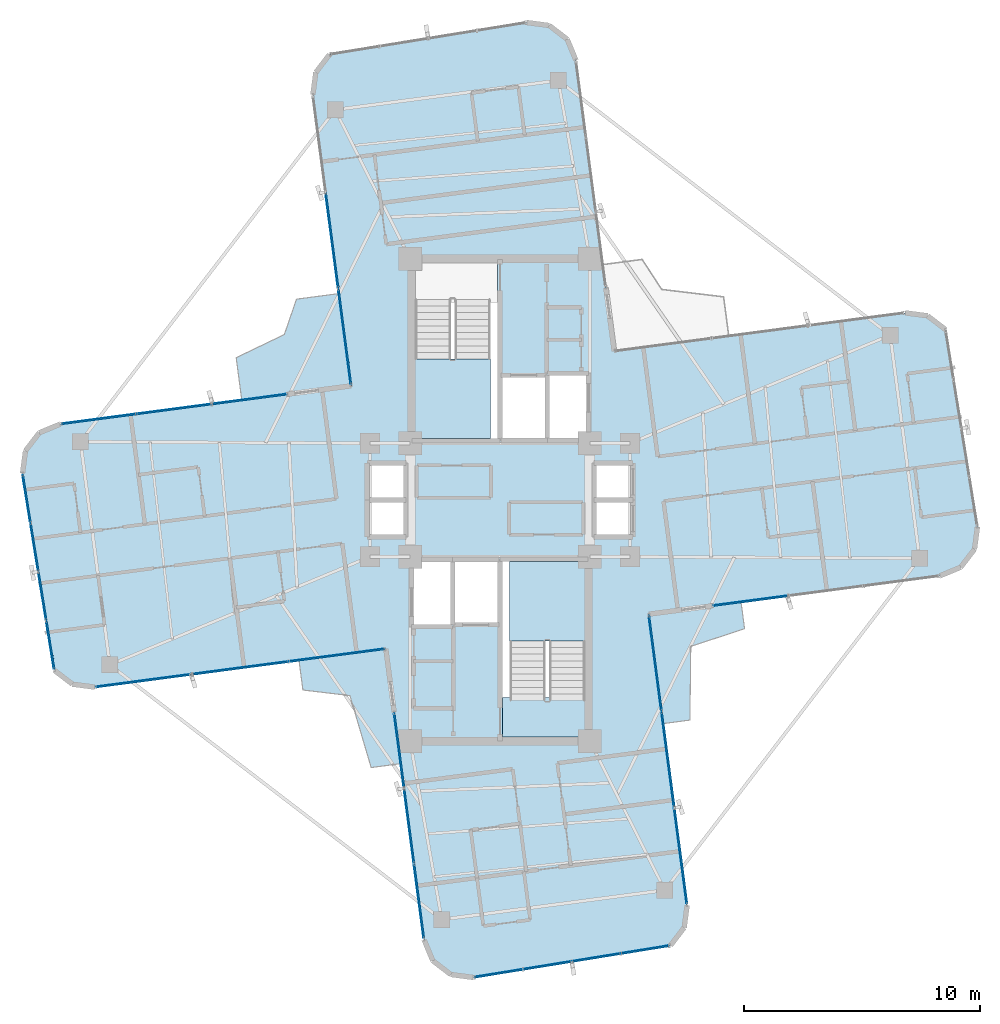
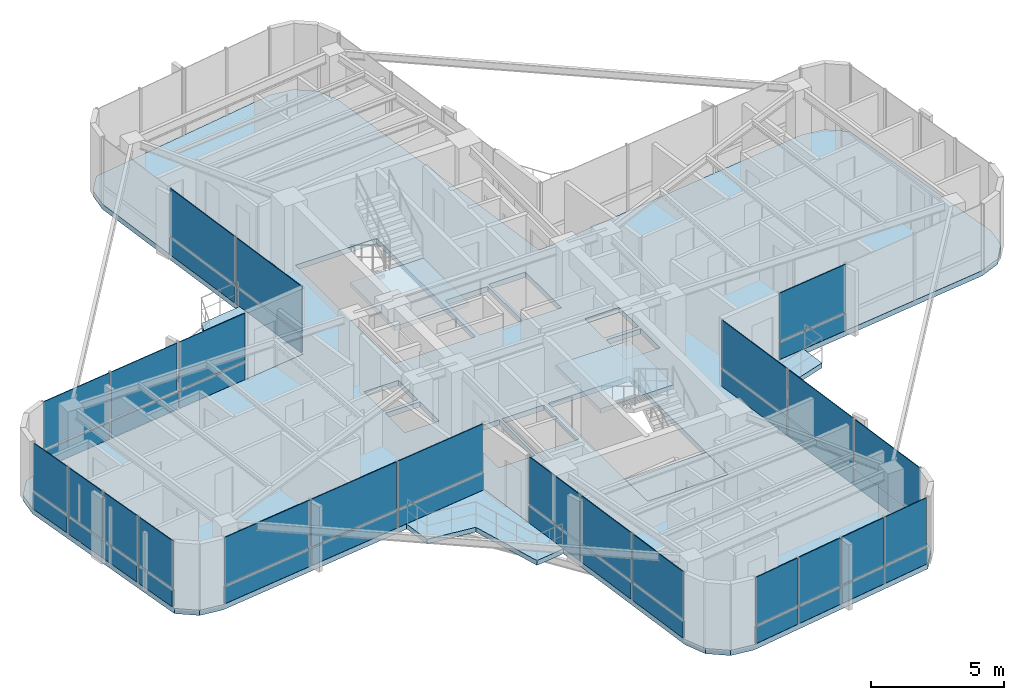
# One storey, part 17 of 23: 46 plates, 7 slabs, 10 elements without a shape of their own.
"""IFC4 building model written with IfcOpenShell, lengths in metres."""

import ifcopenshell
import ifcopenshell.guid

model = None  # the IFC model being written
_history = None  # IfcOwnerHistory: only IFC2X3 demands one
_inside = {}  # id of a spatial element -> (the spatial element, [elements in it])
_under = {}  # id of a project, library or spatial element -> (it, [spatial elements below it])
_declared = {}  # id of a project -> (the project, [libraries it declares])
_typed = {}  # id of a type object -> (the type object, [elements of that type])
_made_of = {}  # id of a material, layer set ... -> (it, [elements and type objects made of it])


def new_model(schema):
    """Start an empty IFC model of exactly this schema.

    Asked for "IFC4X3", IfcOpenShell would pick the latest addendum, in which some entities
    have other attributes; the version numbers below select the first issue.
    IFC2X3 requires an IfcOwnerHistory on every rooted entity: one is made here for all.
    """
    global model, _history
    if schema == "IFC4X3":
        model = ifcopenshell.file(schema_version=(4, 3, 0, 0))
    else:
        model = ifcopenshell.file(schema=schema)
    _inside.clear()
    _under.clear()
    _declared.clear()
    _typed.clear()
    _made_of.clear()
    _history = None
    if model.schema == "IFC2X3":
        org = make("IfcOrganization", Name="unknown")
        user = make(
            "IfcPersonAndOrganization",
            ThePerson=make("IfcPerson", FamilyName="unknown"),
            TheOrganization=org,
        )
        app = make(
            "IfcApplication",
            ApplicationDeveloper=org,
            Version="unknown",
            ApplicationFullName="unknown",
            ApplicationIdentifier="unknown",
        )
        _history = make(
            "IfcOwnerHistory",
            OwningUser=user,
            OwningApplication=app,
            ChangeAction="ADDED",
            CreationDate=0,
        )
    return model


def make(cls, **values):
    """One entity of the class cls with the attributes given. An attribute that is None is left unset."""
    return model.create_entity(
        cls, **{name: value for name, value in values.items() if value is not None}
    )


def rooted(cls, **values):
    """An entity with a GlobalId (a new one), such as an element, a storey or a relation."""
    return make(cls, GlobalId=ifcopenshell.guid.new(), OwnerHistory=_history, **values)


def si_unit(unit_type, name, prefix=None):
    """IfcSIUnit, for example si_unit("LENGTHUNIT", "METRE", prefix="MILLI")."""
    return make("IfcSIUnit", UnitType=unit_type, Prefix=prefix, Name=name)


def assignment(units):
    """IfcUnitAssignment: the units of a project."""
    return None if units is None else make("IfcUnitAssignment", Units=units)


def point(xyz):
    """IfcCartesianPoint."""
    return None if xyz is None else make("IfcCartesianPoint", Coordinates=xyz)


def direction(xyz):
    """IfcDirection."""
    return None if xyz is None else make("IfcDirection", DirectionRatios=xyz)


def frame(location, z_axis=None, x_axis=None):
    """IfcAxis2Placement3D, a coordinate frame: its origin and axes. An axis left out is left unset."""
    return make(
        "IfcAxis2Placement3D",
        Location=point(location),
        Axis=direction(z_axis),
        RefDirection=direction(x_axis),
    )


def frame_2d(location, x_axis=None):
    """IfcAxis2Placement2D, a coordinate frame in the plane: its origin and x axis."""
    return make(
        "IfcAxis2Placement2D", Location=point(location), RefDirection=direction(x_axis)
    )


def origin():
    """The frame at (0, 0, 0) with its axes left unset."""
    return frame((0.0, 0.0, 0.0))


def origin_2d():
    """The frame at (0, 0) in the plane with its x axis left unset."""
    return frame_2d((0.0, 0.0))


def place(relative_to, where):
    """IfcLocalPlacement: puts the frame where relative to a parent placement (None: the world)."""
    return make(
        "IfcLocalPlacement", PlacementRelTo=relative_to, RelativePlacement=where
    )


def context(
    kind, dimensions, precision=None, world=None, true_north=None, identifier=None
):
    """IfcGeometricRepresentationContext, for example the 3D "Model" context."""
    return make(
        "IfcGeometricRepresentationContext",
        ContextIdentifier=identifier,
        ContextType=kind,
        CoordinateSpaceDimension=dimensions,
        Precision=precision,
        WorldCoordinateSystem=world,
        TrueNorth=true_north,
    )


def subcontext(parent, identifier, kind, view, scale=None):
    """IfcGeometricRepresentationSubContext, for example "Body" below "Model"."""
    return make(
        "IfcGeometricRepresentationSubContext",
        ContextIdentifier=identifier,
        ContextType=kind,
        ParentContext=parent,
        TargetScale=scale,
        TargetView=view,
    )


def project(units=None, contexts=None):
    """IfcProject with its units and contexts."""
    return rooted(
        "IfcProject",
        Name="project",
        RepresentationContexts=contexts,
        UnitsInContext=assignment(units),
    )


def spatial(cls, under=None, at=None, **own):
    """A site, building, storey or space (cls), placed at a placement, below another one or the project."""
    s = rooted(cls, ObjectPlacement=at, **own)
    if under is not None:
        _under.setdefault(under.id(), (under, []))[1].append(s)
    return s


def polyline(points):
    """IfcPolyline through the points."""
    return make("IfcPolyline", Points=[point(p) for p in points])


def profile(cls, at=None, kind="AREA", **sizes):
    """A parametric profile (cls). Its sizes go by their IFC names, for example OverallWidth=200.0."""
    return make(cls, ProfileType=kind, Position=at, **sizes)


def rectangle(**sizes):
    """IfcRectangleProfileDef."""
    return profile("IfcRectangleProfileDef", **sizes)


def outline(outer, holes=None, kind="AREA"):
    """IfcArbitraryClosedProfileDef: a profile drawn as a closed curve; with holes, ...WithVoids."""
    if holes is None:
        return make("IfcArbitraryClosedProfileDef", ProfileType=kind, OuterCurve=outer)
    return make(
        "IfcArbitraryProfileDefWithVoids",
        ProfileType=kind,
        OuterCurve=outer,
        InnerCurves=holes,
    )


def extrude(swept, where, along, depth):
    """IfcExtrudedAreaSolid: the profile swept, set in the frame where, extruded along a direction by depth."""
    return make(
        "IfcExtrudedAreaSolid",
        SweptArea=swept,
        Position=where,
        ExtrudedDirection=direction(along),
        Depth=depth,
    )


def shape(context_of_items, identifier, shape_type, items):
    """IfcShapeRepresentation: the items that make up one representation, for example the "Body"."""
    return make(
        "IfcShapeRepresentation",
        ContextOfItems=context_of_items,
        RepresentationIdentifier=identifier,
        RepresentationType=shape_type,
        Items=items,
    )


def source(mapping_origin, context_of_items, identifier, shape_type, items):
    """IfcRepresentationMap: a shape defined once, which mapped items show again and again."""
    return make(
        "IfcRepresentationMap",
        MappingOrigin=mapping_origin,
        MappedRepresentation=shape(context_of_items, identifier, shape_type, items),
    )


def transform(
    local_origin,
    x_axis=None,
    y_axis=None,
    z_axis=None,
    scale=None,
    scale2=None,
    scale3=None,
    uniform=True,
):
    """IfcCartesianTransformationOperator3D, or its non-uniform kind. x_axis, y_axis, z_axis: its Axis1, 2, 3."""
    if uniform:
        return make(
            "IfcCartesianTransformationOperator3D",
            Axis1=direction(x_axis),
            Axis2=direction(y_axis),
            LocalOrigin=point(local_origin),
            Scale=scale,
            Axis3=direction(z_axis),
        )
    return make(
        "IfcCartesianTransformationOperator3DnonUniform",
        Axis1=direction(x_axis),
        Axis2=direction(y_axis),
        LocalOrigin=point(local_origin),
        Scale=scale,
        Axis3=direction(z_axis),
        Scale2=scale2,
        Scale3=scale3,
    )


def mapped(mapping_source, mapping_target):
    """IfcMappedItem: shows the shape of a source again, moved by a transform."""
    return make(
        "IfcMappedItem", MappingSource=mapping_source, MappingTarget=mapping_target
    )


def material(Name=None, Category=None):
    """IfcMaterial."""
    return make("IfcMaterial", Name=Name, Category=Category)


def layer(
    of_material, thickness, ventilated=None, Name=None, Category=None, Priority=None
):
    """IfcMaterialLayer: one layer of a wall or slab, of a material (None: an air gap)."""
    return make(
        "IfcMaterialLayer",
        Material=of_material,
        LayerThickness=thickness,
        IsVentilated=ventilated,
        Name=Name,
        Category=Category,
        Priority=Priority,
    )


def layer_set(layers, Name=None):
    """IfcMaterialLayerSet."""
    return make("IfcMaterialLayerSet", MaterialLayers=layers, LayerSetName=Name)


def made_of(thing, what):
    """Note that an element or type object is made of a material, layer set ...; save() writes the relation."""
    if what is not None:
        _made_of.setdefault(what.id(), (what, []))[1].append(thing)
    return thing


def type_object(cls, material=None, **own):
    """A type object (cls), such as IfcWallType, which elements share."""
    return made_of(rooted(cls, **own), material)


def element(
    cls,
    number,
    at=None,
    inside=None,
    cuts=None,
    type_object=None,
    material=None,
    context=None,
    identifier="Body",
    shape_type=None,
    held_by="IfcProductDefinitionShape",
    body=None,
    shapes=None,
    **own,
):
    """One element of the class cls, such as IfcWall. Its Tag is "e" and its number.

    at: its placement. inside: the storey or other place that contains it. cuts: it is an
    opening in that element (IfcRelVoidsElement). A single representation is given by context,
    identifier, shape_type and body (its items); several are given by shapes. held_by: the class
    of the entity that holds the representations. save() writes the other relations.
    """
    e = rooted(cls, Tag="e%d" % number, ObjectPlacement=at, **own)
    if body is not None:
        shapes = [shape(context, identifier, shape_type, body)]
    if shapes is not None:
        e.Representation = make(held_by, Representations=shapes)
    if inside is not None:
        _inside.setdefault(inside.id(), (inside, []))[1].append(e)
    if cuts is not None:
        rooted(
            "IfcRelVoidsElement", RelatingBuildingElement=cuts, RelatedOpeningElement=e
        )
    if type_object is not None:
        _typed.setdefault(type_object.id(), (type_object, []))[1].append(e)
    return made_of(e, material)


def aggregate(whole, parts):
    """IfcRelAggregates: a whole, such as a stair, and the parts it consists of."""
    return rooted("IfcRelAggregates", RelatingObject=whole, RelatedObjects=parts)


def save(model, path):
    """Write the relations noted so far, then the file.

    IfcRelAggregates (storeys below a building ...), IfcRelContainedInSpatialStructure (elements
    in a storey), IfcRelDefinesByType, IfcRelAssociatesMaterial and IfcRelDeclares: one each for
    every whole, place, type object, material and project.
    """
    for whole, parts in _under.values():
        aggregate(whole, parts)
    for where, things in _inside.values():
        rooted(
            "IfcRelContainedInSpatialStructure",
            RelatedElements=things,
            RelatingStructure=where,
        )
    for kind, things in _typed.values():
        rooted("IfcRelDefinesByType", RelatedObjects=things, RelatingType=kind)
    for what, things in _made_of.values():
        rooted("IfcRelAssociatesMaterial", RelatedObjects=things, RelatingMaterial=what)
    for by, libraries in _declared.values():
        rooted("IfcRelDeclares", RelatingContext=by, RelatedDefinitions=libraries)
    model.write(path)


model = new_model("IFC4")

# Units and contexts
model_context = context("Model", 3, precision=1e-05, world=origin(), true_north=direction((0.0, 1.0)))
body_context = subcontext(model_context, "Body", "Model", "MODEL_VIEW")
ifc_project = project(units=[si_unit("LENGTHUNIT", "METRE"), si_unit("AREAUNIT", "SQUARE_METRE"), si_unit("VOLUMEUNIT", "CUBIC_METRE"), si_unit("PLANEANGLEUNIT", "RADIAN"), si_unit("MASSUNIT", "GRAM", prefix="KILO")], contexts=[model_context])

# Site, building, storey
site_placement = place(None, origin())
site = spatial("IfcSite", under=ifc_project, at=site_placement, CompositionType="ELEMENT")
building_placement = place(site_placement, origin())
building = spatial("IfcBuilding", under=site, at=building_placement, Name="Sahyath Konkavel Grand Hotel", CompositionType="ELEMENT")
storey_placement = place(building_placement, frame((0.0, 0.0, 251.199951171875)))
storey = spatial("IfcBuildingStorey", under=building, at=storey_placement, Name="L70", CompositionType="ELEMENT", Elevation=251.199951171875)

# Slabs
ifc_material_1 = material(Name="Concrete C40/50", Category="concrete")
ifc_layer_1 = layer(ifc_material_1, 0.239990234375)
ifc_layer_set_1 = layer_set([ifc_layer_1], Name="Concrete C40/50")
slab_type_1 = type_object("IfcSlabType", Name="SLB-240", PredefinedType="FLOOR", material=ifc_layer_set_1)
slab_1_placement = place(storey_placement, frame((0.0, 0.0, -0.239990234375)))
element("IfcSlab", 1, at=slab_1_placement, inside=storey, type_object=slab_type_1, Name="L70 Structural Floor Slab", PredefinedType="FLOOR", context=body_context, shape_type="SweptSolid", body=[
    extrude(outline(polyline([(6.2919921875, -4.827880859375), (18.594970703125, -3.208251953125), (19.4794921875, -2.841796875), (20.0625, -2.08203125), (20.1875, -1.1328125), (18.840087890625, 7.20361328125), (18.080322265625, 7.78662109375), (17.130859375, 7.91162109375), (4.827880859375, 6.2919921875), (3.208251953125, 18.594970703125), (2.841796875, 19.4794921875), (2.08203125, 20.0625), (1.1328125, 20.1875), (-7.20361328125, 18.840087890625), (-7.78662109375, 18.080322265625), (-7.91162109375, 17.130859375), (-6.2919921875, 4.827880859375), (-18.594970703125, 3.208251953125), (-19.4794921875, 2.841796875), (-20.0625, 2.08203125), (-20.1875, 1.1328125), (-18.840087890625, -7.20361328125), (-18.080322265625, -7.78662109375), (-17.130859375, -7.91162109375), (-4.827880859375, -6.2919921875), (-3.208251953125, -18.594970703125), (-2.841796875, -19.4794921875), (-2.08203125, -20.0625), (-1.1328125, -20.1875), (7.20361328125, -18.840087890625), (7.78662109375, -18.080322265625), (7.91162109375, -17.130859375), (6.2919921875, -4.827880859375)]), holes=[polyline([(-3.6201171875, 2.580078125), (-0.10009765625, 2.580078125), (-0.10009765625, 10.02001953125), (-3.6201171875, 10.02001953125), (-3.6201171875, 2.580078125)]), polyline([(0.10009765625, -10.02001953125), (3.6201171875, -10.02001953125), (3.6201171875, -2.580078125), (0.10009765625, -2.580078125), (0.10009765625, -10.02001953125)]), polyline([(0.10009765625, 2.60009765625), (1.949951171875, 2.60009765625), (1.949951171875, 5.199951171875), (0.10009765625, 5.199951171875), (0.10009765625, 2.60009765625)]), polyline([(-1.949951171875, -5.199951171875), (-0.10009765625, -5.199951171875), (-0.10009765625, -2.60009765625), (-1.949951171875, -2.60009765625), (-1.949951171875, -5.199951171875)]), polyline([(2.050048828125, 2.60009765625), (3.64990234375, 2.60009765625), (3.64990234375, 5.300048828125), (2.050048828125, 5.300048828125), (2.050048828125, 2.60009765625)]), polyline([(-3.64990234375, -5.300048828125), (-2.050048828125, -5.300048828125), (-2.050048828125, -2.60009765625), (-3.64990234375, -2.60009765625), (-3.64990234375, -5.300048828125)]), polyline([(4.050048828125, 0.080078125), (5.550048828125, 0.080078125), (5.550048828125, 1.5400390625), (4.050048828125, 1.5400390625), (4.050048828125, 0.080078125)]), polyline([(4.050048828125, -1.5400390625), (5.550048828125, -1.5400390625), (5.550048828125, -0.080078125), (4.050048828125, -0.080078125), (4.050048828125, -1.5400390625)]), polyline([(-5.550048828125, 0.080078125), (-4.050048828125, 0.080078125), (-4.050048828125, 1.5400390625), (-5.550048828125, 1.5400390625), (-5.550048828125, 0.080078125)]), polyline([(-5.550048828125, -1.5400390625), (-4.050048828125, -1.5400390625), (-4.050048828125, -0.080078125), (-5.550048828125, -0.080078125), (-5.550048828125, -1.5400390625)])]), origin(), (0.0, 0.0, 1.0), 0.239990234375),
])
ifc_layer_2 = layer(ifc_material_1, 0.219970703125)
ifc_layer_set_2 = layer_set([ifc_layer_2], Name="Concrete C40/50")
slab_type_2 = type_object("IfcSlabType", Name="SLB-BALCONY-220", PredefinedType="FLOOR", material=ifc_layer_set_2)
slab_2_placement = place(storey_placement, frame((0.0, 0.0, -0.219970703125)))
element("IfcSlab", 2, at=slab_2_placement, inside=storey, type_object=slab_type_2, Name="L70 Winter-Garden Balcony NW", PredefinedType="FLOOR", context=body_context, shape_type="SweptSolid", body=[
    extrude(outline(polyline([(-6.2919921875, 4.827880859375), (-6.805419921875, 8.728515625), (-8.603759765625, 8.49169921875), (-9.118408203125, 6.99658203125), (-11.15478515625, 6.01708984375), (-10.918212890625, 4.218994140625), (-6.2919921875, 4.827880859375)])), origin(), (0.0, 0.0, 1.0), 0.219970703125),
])
slab_3_placement = place(storey_placement, frame((0.0, 0.0, -0.219970703125)))
element("IfcSlab", 3, at=slab_3_placement, inside=storey, type_object=slab_type_2, Name="L70 Winter-Garden Balcony SW", PredefinedType="FLOOR", context=body_context, shape_type="SweptSolid", body=[
    extrude(outline(polyline([(-4.827880859375, -6.2919921875), (-8.49951171875, -6.775390625), (-8.333740234375, -8.033935546875), (-6.345703125, -8.27001953125), (-5.447265625, -11.312744140625), (-4.188720703125, -11.147216796875), (-4.827880859375, -6.2919921875)])), origin(), (0.0, 0.0, 1.0), 0.219970703125),
])
slab_4_placement = place(storey_placement, frame((0.0, 0.0, -0.219970703125)))
element("IfcSlab", 4, at=slab_4_placement, inside=storey, type_object=slab_type_2, Name="L70 Winter-Garden Balcony SE", PredefinedType="FLOOR", context=body_context, shape_type="SweptSolid", body=[
    extrude(outline(polyline([(6.2919921875, -4.827880859375), (6.90087890625, -9.4541015625), (8.029541015625, -9.305419921875), (8.06591796875, -6.189208984375), (10.3408203125, -5.443115234375), (10.1923828125, -4.314453125), (6.2919921875, -4.827880859375)])), origin(), (0.0, 0.0, 1.0), 0.219970703125),
])

# Stair, slab
stair_type = type_object("IfcStairType", Name="STR-ST16-335", PredefinedType="HALF_TURN_STAIR", material=ifc_material_1)
stair_1_placement = place(storey_placement, origin())
stair_1 = element("IfcStair", 5, at=stair_1_placement, inside=storey, type_object=stair_type, Name="L70 North Core Smokeproof Exit Stair ST-1", PredefinedType="HALF_TURN_STAIR")
ifc_layer_3 = layer(ifc_material_1, 0.199951171875)
ifc_layer_set_3 = layer_set([ifc_layer_3], Name="Concrete C40/50")
slab_type_3 = type_object("IfcSlabType", Name="SLB-STAIR-LND", PredefinedType="LANDING", material=ifc_layer_set_3)
slab_5_placement = place(storey_placement, frame((0.0, 0.0, 1.47509765625)))
slab_5 = element("IfcSlab", 6, at=slab_5_placement, type_object=slab_type_3, Name="ST-1 landing 1", PredefinedType="LANDING", context=body_context, shape_type="SweptSolid", body=[
    extrude(outline(polyline([(-3.60009765625, 5.9599609375), (-3.60009765625, 2.60009765625), (-0.39990234375, 2.60009765625), (-0.39990234375, 5.9599609375), (-3.60009765625, 5.9599609375)])), origin(), (0.0, 0.0, 1.0), 0.199951171875),
])
aggregate(stair_1, [slab_5])

stair_2_placement = place(storey_placement, origin())
stair_2 = element("IfcStair", 7, at=stair_2_placement, inside=storey, type_object=stair_type, Name="L70 South Core Smokeproof Exit Stair ST-2", PredefinedType="HALF_TURN_STAIR")
slab_6_placement = place(storey_placement, frame((0.0, 0.0, 1.47509765625)))
slab_6 = element("IfcSlab", 8, at=slab_6_placement, type_object=slab_type_3, Name="ST-2 landing 1", PredefinedType="LANDING", context=body_context, shape_type="SweptSolid", body=[
    extrude(outline(polyline([(3.60009765625, -5.9599609375), (3.60009765625, -2.60009765625), (0.39990234375, -2.60009765625), (0.39990234375, -5.9599609375), (3.60009765625, -5.9599609375)])), origin(), (0.0, 0.0, 1.0), 0.199951171875),
])
aggregate(stair_2, [slab_6])

# Slab
slab_7_placement = place(storey_placement, frame((0.0, 0.0, -0.199951171875)))
element("IfcSlab", 9, at=slab_7_placement, inside=storey, type_object=slab_type_3, Name="L70 Stair ST-2 Floor Landing Slab", PredefinedType="LANDING", context=body_context, shape_type="SweptSolid", body=[
    extrude(outline(polyline([(0.10009765625, -10.02001953125), (3.6201171875, -10.02001953125), (3.6201171875, -8.35009765625), (0.10009765625, -8.35009765625), (0.10009765625, -10.02001953125)])), origin(), (0.0, 0.0, 1.0), 0.199951171875),
])

# Curtain wall, plate
ifc_material_2 = material(Name="Anodised Bronze Aluminium & Low-E Glazing", Category="aluminium")
curtain_wall_type = type_object("IfcCurtainWallType", Name="CW-ZONE4", PredefinedType="NOTDEFINED", material=ifc_material_2)
curtain_wall_1_placement = place(storey_placement, origin())
curtain_wall_1 = element("IfcCurtainWall", 10, at=curtain_wall_1_placement, inside=storey, type_object=curtain_wall_type, Name="L70 Unitised Curtain Wall F0", PredefinedType="NOTDEFINED")
ifc_material_3 = material(Name="Warm Buff Sandstone Cladding", Category="masonry")
ifc_layer_4 = layer(ifc_material_3, 0.074951171875)
ifc_layer_set_4 = layer_set([ifc_layer_4], Name="Warm Buff Sandstone Cladding")
plate_type_1 = type_object("IfcPlateType", Name="PNL-SPANDREL-STONE", PredefinedType="SHEET", material=ifc_layer_set_4)
shared_shape_1 = source(origin(), body_context, "Body", "SweptSolid", [
    extrude(rectangle(XDim=3.129638671875, YDim=0.074951171875, at=origin_2d()), origin(), (0.0, 0.0, 1.0), 0.77001953125),
])
plate_1_placement = place(storey_placement, frame((10.599609375, -4.260986328125, 0.0400390625), z_axis=(0.0, 0.0, 1.0), x_axis=(0.991444861374, 0.13052619222, 0.0)))
plate_1 = element("IfcPlate", 11, at=plate_1_placement, type_object=plate_type_1, Name="L70 Sandstone Relief Spandrel Panel F0-0", PredefinedType="SHEET", context=body_context, shape_type="MappedRepresentation", body=[
    mapped(shared_shape_1, transform((0.0, 0.0, 0.0), scale=1.0)),
])

# Curtain wall, plates
curtain_wall_2_placement = place(storey_placement, origin())
curtain_wall_2 = element("IfcCurtainWall", 12, at=curtain_wall_2_placement, inside=storey, type_object=curtain_wall_type, Name="L70 Unitised Curtain Wall F16", PredefinedType="NOTDEFINED")
plate_2_placement = place(storey_placement, frame((-10.599609375, 4.260986328125, 0.0400390625), z_axis=(0.0, 0.0, 1.0), x_axis=(-0.991444861374, -0.13052619222, 0.0)))
plate_2 = element("IfcPlate", 13, at=plate_2_placement, type_object=plate_type_1, Name="L70 Sandstone Relief Spandrel Panel F16-0", PredefinedType="SHEET", context=body_context, shape_type="MappedRepresentation", body=[
    mapped(shared_shape_1, transform((0.0, 0.0, 0.0), scale=1.0)),
])
plate_3_placement = place(storey_placement, frame((-13.781982421875, 3.841796875, 0.0400390625), z_axis=(0.0, 0.0, 1.0), x_axis=(-0.991444861374, -0.13052619222, 0.0)))
plate_3 = element("IfcPlate", 14, at=plate_3_placement, type_object=plate_type_1, Name="L70 Sandstone Relief Spandrel Panel F16-1", PredefinedType="SHEET", context=body_context, shape_type="MappedRepresentation", body=[
    mapped(shared_shape_1, transform((0.0, 0.0, 0.0), scale=1.0)),
])
plate_4_placement = place(storey_placement, frame((-16.964111328125, 3.423095703125, 0.0400390625), z_axis=(0.0, 0.0, 1.0), x_axis=(-0.991444861374, -0.13052619222, 0.0)))
plate_4 = element("IfcPlate", 15, at=plate_4_placement, type_object=plate_type_1, Name="L70 Sandstone Relief Spandrel Panel F16-2", PredefinedType="SHEET", context=body_context, shape_type="MappedRepresentation", body=[
    mapped(shared_shape_1, transform((0.0, 0.0, 0.0), scale=1.0)),
])

curtain_wall_3_placement = place(storey_placement, origin())
curtain_wall_3 = element("IfcCurtainWall", 16, at=curtain_wall_3_placement, inside=storey, type_object=curtain_wall_type, Name="L70 Unitised Curtain Wall F24", PredefinedType="NOTDEFINED")
plate_5_placement = place(storey_placement, frame((-4.260986328125, -10.599609375, 0.0400390625), z_axis=(0.0, 0.0, 1.0), x_axis=(0.13052619222, -0.991444861374, 0.0)))
plate_5 = element("IfcPlate", 17, at=plate_5_placement, type_object=plate_type_1, Name="L70 Sandstone Relief Spandrel Panel F24-0", PredefinedType="SHEET", context=body_context, shape_type="MappedRepresentation", body=[
    mapped(shared_shape_1, transform((0.0, 0.0, 0.0), scale=1.0)),
])
plate_6_placement = place(storey_placement, frame((-3.841796875, -13.781982421875, 0.0400390625), z_axis=(0.0, 0.0, 1.0), x_axis=(0.13052619222, -0.991444861374, 0.0)))
plate_6 = element("IfcPlate", 18, at=plate_6_placement, type_object=plate_type_1, Name="L70 Sandstone Relief Spandrel Panel F24-1", PredefinedType="SHEET", context=body_context, shape_type="MappedRepresentation", body=[
    mapped(shared_shape_1, transform((0.0, 0.0, 0.0), scale=1.0)),
])
plate_7_placement = place(storey_placement, frame((-3.423095703125, -16.964111328125, 0.0400390625), z_axis=(0.0, 0.0, 1.0), x_axis=(0.13052619222, -0.991444861374, 0.0)))
plate_7 = element("IfcPlate", 19, at=plate_7_placement, type_object=plate_type_1, Name="L70 Sandstone Relief Spandrel Panel F24-2", PredefinedType="SHEET", context=body_context, shape_type="MappedRepresentation", body=[
    mapped(shared_shape_1, transform((0.0, 0.0, 0.0), scale=1.0)),
])

# Plate
ifc_material_4 = material(Name="Low-E Solar Control Double Glazing", Category="glass")
ifc_layer_5 = layer(ifc_material_4, 0.035888671875)
ifc_layer_set_5 = layer_set([ifc_layer_5], Name="Low-E Solar Control Double Glazing")
plate_type_2 = type_object("IfcPlateType", Name="PNL-VISION-LOWE", PredefinedType="CURTAIN_PANEL", material=ifc_layer_set_5)
shared_shape_2 = source(origin(), body_context, "Body", "SweptSolid", [
    extrude(rectangle(XDim=3.129638671875, YDim=0.035888671875, at=origin_2d()), origin(), (0.0, 0.0, 1.0), 2.179931640625),
])
plate_8_placement = place(storey_placement, frame((10.599609375, -4.260986328125, 0.89013671875), z_axis=(0.0, 0.0, 1.0), x_axis=(0.991444861374, 0.13052619222, 0.0)))
plate_8 = element("IfcPlate", 20, at=plate_8_placement, type_object=plate_type_2, Name="L70 Low-E Vision Glazing Panel F0-0", PredefinedType="CURTAIN_PANEL", context=body_context, shape_type="MappedRepresentation", body=[
    mapped(shared_shape_2, transform((0.0, 0.0, 0.0), scale=1.0)),
])

aggregate(curtain_wall_1, [plate_1, plate_8])

plate_9_placement = place(storey_placement, frame((-10.599609375, 4.260986328125, 0.89013671875), z_axis=(0.0, 0.0, 1.0), x_axis=(-0.991444861374, -0.13052619222, 0.0)))
plate_9 = element("IfcPlate", 21, at=plate_9_placement, type_object=plate_type_2, Name="L70 Low-E Vision Glazing Panel F16-0", PredefinedType="CURTAIN_PANEL", context=body_context, shape_type="MappedRepresentation", body=[
    mapped(shared_shape_2, transform((0.0, 0.0, 0.0), scale=1.0)),
])

plate_10_placement = place(storey_placement, frame((-13.781982421875, 3.841796875, 0.89013671875), z_axis=(0.0, 0.0, 1.0), x_axis=(-0.991444861374, -0.13052619222, 0.0)))
plate_10 = element("IfcPlate", 22, at=plate_10_placement, type_object=plate_type_2, Name="L70 Low-E Vision Glazing Panel F16-1", PredefinedType="CURTAIN_PANEL", context=body_context, shape_type="MappedRepresentation", body=[
    mapped(shared_shape_2, transform((0.0, 0.0, 0.0), scale=1.0)),
])

plate_11_placement = place(storey_placement, frame((-16.964111328125, 3.423095703125, 0.89013671875), z_axis=(0.0, 0.0, 1.0), x_axis=(-0.991444861374, -0.13052619222, 0.0)))
plate_11 = element("IfcPlate", 23, at=plate_11_placement, type_object=plate_type_2, Name="L70 Low-E Vision Glazing Panel F16-2", PredefinedType="CURTAIN_PANEL", context=body_context, shape_type="MappedRepresentation", body=[
    mapped(shared_shape_2, transform((0.0, 0.0, 0.0), scale=1.0)),
])

aggregate(curtain_wall_2, [plate_2, plate_9, plate_3, plate_10, plate_4, plate_11])

plate_12_placement = place(storey_placement, frame((-4.260986328125, -10.599609375, 0.89013671875), z_axis=(0.0, 0.0, 1.0), x_axis=(0.13052619222, -0.991444861374, 0.0)))
plate_12 = element("IfcPlate", 24, at=plate_12_placement, type_object=plate_type_2, Name="L70 Low-E Vision Glazing Panel F24-0", PredefinedType="CURTAIN_PANEL", context=body_context, shape_type="MappedRepresentation", body=[
    mapped(shared_shape_2, transform((0.0, 0.0, 0.0), scale=1.0)),
])

plate_13_placement = place(storey_placement, frame((-3.841796875, -13.781982421875, 0.89013671875), z_axis=(0.0, 0.0, 1.0), x_axis=(0.13052619222, -0.991444861374, 0.0)))
plate_13 = element("IfcPlate", 25, at=plate_13_placement, type_object=plate_type_2, Name="L70 Low-E Vision Glazing Panel F24-1", PredefinedType="CURTAIN_PANEL", context=body_context, shape_type="MappedRepresentation", body=[
    mapped(shared_shape_2, transform((0.0, 0.0, 0.0), scale=1.0)),
])

plate_14_placement = place(storey_placement, frame((-3.423095703125, -16.964111328125, 0.89013671875), z_axis=(0.0, 0.0, 1.0), x_axis=(0.13052619222, -0.991444861374, 0.0)))
plate_14 = element("IfcPlate", 26, at=plate_14_placement, type_object=plate_type_2, Name="L70 Low-E Vision Glazing Panel F24-2", PredefinedType="CURTAIN_PANEL", context=body_context, shape_type="MappedRepresentation", body=[
    mapped(shared_shape_2, transform((0.0, 0.0, 0.0), scale=1.0)),
])

aggregate(curtain_wall_3, [plate_5, plate_12, plate_6, plate_13, plate_7, plate_14])

# Curtain wall, plates
curtain_wall_4_placement = place(storey_placement, origin())
curtain_wall_4 = element("IfcCurtainWall", 27, at=curtain_wall_4_placement, inside=storey, type_object=curtain_wall_type, Name="L70 Unitised Curtain Wall F20", PredefinedType="NOTDEFINED")
shared_shape_3 = source(origin(), body_context, "Body", "SweptSolid", [
    extrude(rectangle(XDim=2.01123046875, YDim=0.074951171875, at=origin_2d()), origin(), (0.0, 0.0, 1.0), 0.77001953125),
])
plate_15_placement = place(storey_placement, frame((-20.014404296875, 0.06103515625, 0.0400390625), z_axis=(0.0, 0.0, 1.0), x_axis=(0.159588291433, -0.987183659325, 0.0)))
plate_15 = element("IfcPlate", 28, at=plate_15_placement, type_object=plate_type_1, Name="L70 Sandstone Relief Spandrel Panel F20-0", PredefinedType="SHEET", context=body_context, shape_type="MappedRepresentation", body=[
    mapped(shared_shape_3, transform((0.0, 0.0, 0.0), scale=1.0)),
])
plate_16_placement = place(storey_placement, frame((-19.6806640625, -2.00341796875, 0.0400390625), z_axis=(0.0, 0.0, 1.0), x_axis=(0.159588291433, -0.987183659325, 0.0)))
plate_16 = element("IfcPlate", 29, at=plate_16_placement, type_object=plate_type_1, Name="L70 Sandstone Relief Spandrel Panel F20-1", PredefinedType="SHEET", context=body_context, shape_type="MappedRepresentation", body=[
    mapped(shared_shape_3, transform((0.0, 0.0, 0.0), scale=1.0)),
])
plate_17_placement = place(storey_placement, frame((-19.346923828125, -4.067626953125, 0.0400390625), z_axis=(0.0, 0.0, 1.0), x_axis=(0.159588291433, -0.987183659325, 0.0)))
plate_17 = element("IfcPlate", 30, at=plate_17_placement, type_object=plate_type_1, Name="L70 Sandstone Relief Spandrel Panel F20-2", PredefinedType="SHEET", context=body_context, shape_type="MappedRepresentation", body=[
    mapped(shared_shape_3, transform((0.0, 0.0, 0.0), scale=1.0)),
])
plate_18_placement = place(storey_placement, frame((-19.01318359375, -6.132080078125, 0.0400390625), z_axis=(0.0, 0.0, 1.0), x_axis=(0.159588291433, -0.987183659325, 0.0)))
plate_18 = element("IfcPlate", 31, at=plate_18_placement, type_object=plate_type_1, Name="L70 Sandstone Relief Spandrel Panel F20-3", PredefinedType="SHEET", context=body_context, shape_type="MappedRepresentation", body=[
    mapped(shared_shape_3, transform((0.0, 0.0, 0.0), scale=1.0)),
])

curtain_wall_5_placement = place(storey_placement, origin())
curtain_wall_5 = element("IfcCurtainWall", 32, at=curtain_wall_5_placement, inside=storey, type_object=curtain_wall_type, Name="L70 Unitised Curtain Wall F28", PredefinedType="NOTDEFINED")
plate_19_placement = place(storey_placement, frame((-0.06103515625, -20.014404296875, 0.0400390625), z_axis=(0.0, 0.0, 1.0), x_axis=(0.987183659325, 0.159588291433, 0.0)))
plate_19 = element("IfcPlate", 33, at=plate_19_placement, type_object=plate_type_1, Name="L70 Sandstone Relief Spandrel Panel F28-0", PredefinedType="SHEET", context=body_context, shape_type="MappedRepresentation", body=[
    mapped(shared_shape_3, transform((0.0, 0.0, 0.0), scale=1.0)),
])
plate_20_placement = place(storey_placement, frame((2.00341796875, -19.6806640625, 0.0400390625), z_axis=(0.0, 0.0, 1.0), x_axis=(0.987183659325, 0.159588291433, 0.0)))
plate_20 = element("IfcPlate", 34, at=plate_20_placement, type_object=plate_type_1, Name="L70 Sandstone Relief Spandrel Panel F28-1", PredefinedType="SHEET", context=body_context, shape_type="MappedRepresentation", body=[
    mapped(shared_shape_3, transform((0.0, 0.0, 0.0), scale=1.0)),
])
plate_21_placement = place(storey_placement, frame((4.067626953125, -19.346923828125, 0.0400390625), z_axis=(0.0, 0.0, 1.0), x_axis=(0.987183659325, 0.159588291433, 0.0)))
plate_21 = element("IfcPlate", 35, at=plate_21_placement, type_object=plate_type_1, Name="L70 Sandstone Relief Spandrel Panel F28-2", PredefinedType="SHEET", context=body_context, shape_type="MappedRepresentation", body=[
    mapped(shared_shape_3, transform((0.0, 0.0, 0.0), scale=1.0)),
])
plate_22_placement = place(storey_placement, frame((6.132080078125, -19.01318359375, 0.0400390625), z_axis=(0.0, 0.0, 1.0), x_axis=(0.987183659325, 0.159588291433, 0.0)))
plate_22 = element("IfcPlate", 36, at=plate_22_placement, type_object=plate_type_1, Name="L70 Sandstone Relief Spandrel Panel F28-3", PredefinedType="SHEET", context=body_context, shape_type="MappedRepresentation", body=[
    mapped(shared_shape_3, transform((0.0, 0.0, 0.0), scale=1.0)),
])

# Plate
shared_shape_4 = source(origin(), body_context, "Body", "SweptSolid", [
    extrude(rectangle(XDim=2.01123046875, YDim=0.035888671875, at=origin_2d()), origin(), (0.0, 0.0, 1.0), 2.179931640625),
])
plate_23_placement = place(storey_placement, frame((-20.014404296875, 0.06103515625, 0.89013671875), z_axis=(0.0, 0.0, 1.0), x_axis=(0.159588291433, -0.987183659325, 0.0)))
plate_23 = element("IfcPlate", 37, at=plate_23_placement, type_object=plate_type_2, Name="L70 Low-E Vision Glazing Panel F20-0", PredefinedType="CURTAIN_PANEL", context=body_context, shape_type="MappedRepresentation", body=[
    mapped(shared_shape_4, transform((0.0, 0.0, 0.0), scale=1.0)),
])

plate_24_placement = place(storey_placement, frame((-19.6806640625, -2.00341796875, 0.89013671875), z_axis=(0.0, 0.0, 1.0), x_axis=(0.159588291433, -0.987183659325, 0.0)))
plate_24 = element("IfcPlate", 38, at=plate_24_placement, type_object=plate_type_2, Name="L70 Low-E Vision Glazing Panel F20-1", PredefinedType="CURTAIN_PANEL", context=body_context, shape_type="MappedRepresentation", body=[
    mapped(shared_shape_4, transform((0.0, 0.0, 0.0), scale=1.0)),
])

plate_25_placement = place(storey_placement, frame((-19.346923828125, -4.067626953125, 0.89013671875), z_axis=(0.0, 0.0, 1.0), x_axis=(0.159588291433, -0.987183659325, 0.0)))
plate_25 = element("IfcPlate", 39, at=plate_25_placement, type_object=plate_type_2, Name="L70 Low-E Vision Glazing Panel F20-2", PredefinedType="CURTAIN_PANEL", context=body_context, shape_type="MappedRepresentation", body=[
    mapped(shared_shape_4, transform((0.0, 0.0, 0.0), scale=1.0)),
])

plate_26_placement = place(storey_placement, frame((-19.01318359375, -6.132080078125, 0.89013671875), z_axis=(0.0, 0.0, 1.0), x_axis=(0.159588291433, -0.987183659325, 0.0)))
plate_26 = element("IfcPlate", 40, at=plate_26_placement, type_object=plate_type_2, Name="L70 Low-E Vision Glazing Panel F20-3", PredefinedType="CURTAIN_PANEL", context=body_context, shape_type="MappedRepresentation", body=[
    mapped(shared_shape_4, transform((0.0, 0.0, 0.0), scale=1.0)),
])

aggregate(curtain_wall_4, [plate_15, plate_23, plate_16, plate_24, plate_17, plate_25, plate_18, plate_26])

plate_27_placement = place(storey_placement, frame((-0.06103515625, -20.014404296875, 0.89013671875), z_axis=(0.0, 0.0, 1.0), x_axis=(0.987183659325, 0.159588291433, 0.0)))
plate_27 = element("IfcPlate", 41, at=plate_27_placement, type_object=plate_type_2, Name="L70 Low-E Vision Glazing Panel F28-0", PredefinedType="CURTAIN_PANEL", context=body_context, shape_type="MappedRepresentation", body=[
    mapped(shared_shape_4, transform((0.0, 0.0, 0.0), scale=1.0)),
])

plate_28_placement = place(storey_placement, frame((2.00341796875, -19.6806640625, 0.89013671875), z_axis=(0.0, 0.0, 1.0), x_axis=(0.987183659325, 0.159588291433, 0.0)))
plate_28 = element("IfcPlate", 42, at=plate_28_placement, type_object=plate_type_2, Name="L70 Low-E Vision Glazing Panel F28-1", PredefinedType="CURTAIN_PANEL", context=body_context, shape_type="MappedRepresentation", body=[
    mapped(shared_shape_4, transform((0.0, 0.0, 0.0), scale=1.0)),
])

plate_29_placement = place(storey_placement, frame((4.067626953125, -19.346923828125, 0.89013671875), z_axis=(0.0, 0.0, 1.0), x_axis=(0.987183659325, 0.159588291433, 0.0)))
plate_29 = element("IfcPlate", 43, at=plate_29_placement, type_object=plate_type_2, Name="L70 Low-E Vision Glazing Panel F28-2", PredefinedType="CURTAIN_PANEL", context=body_context, shape_type="MappedRepresentation", body=[
    mapped(shared_shape_4, transform((0.0, 0.0, 0.0), scale=1.0)),
])

plate_30_placement = place(storey_placement, frame((6.132080078125, -19.01318359375, 0.89013671875), z_axis=(0.0, 0.0, 1.0), x_axis=(0.987183659325, 0.159588291433, 0.0)))
plate_30 = element("IfcPlate", 44, at=plate_30_placement, type_object=plate_type_2, Name="L70 Low-E Vision Glazing Panel F28-3", PredefinedType="CURTAIN_PANEL", context=body_context, shape_type="MappedRepresentation", body=[
    mapped(shared_shape_4, transform((0.0, 0.0, 0.0), scale=1.0)),
])

aggregate(curtain_wall_5, [plate_19, plate_27, plate_20, plate_28, plate_21, plate_29, plate_22, plate_30])

# Curtain wall, plates
curtain_wall_6_placement = place(storey_placement, origin())
curtain_wall_6 = element("IfcCurtainWall", 45, at=curtain_wall_6_placement, inside=storey, type_object=curtain_wall_type, Name="L70 Unitised Curtain Wall F15", PredefinedType="NOTDEFINED")
shared_shape_5 = source(origin(), body_context, "Body", "SweptSolid", [
    extrude(rectangle(XDim=4.02978515625, YDim=0.074951171875, at=origin_2d()), origin(), (0.0, 0.0, 1.0), 0.77001953125),
])
plate_31_placement = place(storey_placement, frame((-7.101806640625, 10.9794921875, 0.0400390625), z_axis=(0.0, 0.0, 1.0), x_axis=(0.13052619222, -0.991444861374, 0.0)))
plate_31 = element("IfcPlate", 46, at=plate_31_placement, type_object=plate_type_1, Name="L70 Sandstone Relief Spandrel Panel F15-1", PredefinedType="SHEET", context=body_context, shape_type="MappedRepresentation", body=[
    mapped(shared_shape_5, transform((0.0, 0.0, 0.0), scale=1.0)),
])
plate_32_placement = place(storey_placement, frame((-6.5654296875, 6.90478515625, 0.0400390625), z_axis=(0.0, 0.0, 1.0), x_axis=(0.13052619222, -0.991444861374, 0.0)))
plate_32 = element("IfcPlate", 47, at=plate_32_placement, type_object=plate_type_1, Name="L70 Sandstone Relief Spandrel Panel F15-2", PredefinedType="SHEET", context=body_context, shape_type="MappedRepresentation", body=[
    mapped(shared_shape_5, transform((0.0, 0.0, 0.0), scale=1.0)),
])

curtain_wall_7_placement = place(storey_placement, origin())
curtain_wall_7 = element("IfcCurtainWall", 48, at=curtain_wall_7_placement, inside=storey, type_object=curtain_wall_type, Name="L70 Unitised Curtain Wall F23", PredefinedType="NOTDEFINED")
plate_33_placement = place(storey_placement, frame((-15.053955078125, -7.63818359375, 0.0400390625), z_axis=(0.0, 0.0, 1.0), x_axis=(0.991444861374, 0.13052619222, 0.0)))
plate_33 = element("IfcPlate", 49, at=plate_33_placement, type_object=plate_type_1, Name="L70 Sandstone Relief Spandrel Panel F23-0", PredefinedType="SHEET", context=body_context, shape_type="MappedRepresentation", body=[
    mapped(shared_shape_5, transform((0.0, 0.0, 0.0), scale=1.0)),
])
plate_34_placement = place(storey_placement, frame((-10.9794921875, -7.101806640625, 0.0400390625), z_axis=(0.0, 0.0, 1.0), x_axis=(0.991444861374, 0.13052619222, 0.0)))
plate_34 = element("IfcPlate", 50, at=plate_34_placement, type_object=plate_type_1, Name="L70 Sandstone Relief Spandrel Panel F23-1", PredefinedType="SHEET", context=body_context, shape_type="MappedRepresentation", body=[
    mapped(shared_shape_5, transform((0.0, 0.0, 0.0), scale=1.0)),
])
plate_35_placement = place(storey_placement, frame((-6.90478515625, -6.5654296875, 0.0400390625), z_axis=(0.0, 0.0, 1.0), x_axis=(0.991444861374, 0.13052619222, 0.0)))
plate_35 = element("IfcPlate", 51, at=plate_35_placement, type_object=plate_type_1, Name="L70 Sandstone Relief Spandrel Panel F23-2", PredefinedType="SHEET", context=body_context, shape_type="MappedRepresentation", body=[
    mapped(shared_shape_5, transform((0.0, 0.0, 0.0), scale=1.0)),
])

curtain_wall_8_placement = place(storey_placement, origin())
curtain_wall_8 = element("IfcCurtainWall", 52, at=curtain_wall_8_placement, inside=storey, type_object=curtain_wall_type, Name="L70 Unitised Curtain Wall F31", PredefinedType="NOTDEFINED")
plate_36_placement = place(storey_placement, frame((7.63818359375, -15.053955078125, 0.0400390625), z_axis=(0.0, 0.0, 1.0), x_axis=(-0.13052619222, 0.991444861374, 0.0)))
plate_36 = element("IfcPlate", 53, at=plate_36_placement, type_object=plate_type_1, Name="L70 Sandstone Relief Spandrel Panel F31-0", PredefinedType="SHEET", context=body_context, shape_type="MappedRepresentation", body=[
    mapped(shared_shape_5, transform((0.0, 0.0, 0.0), scale=1.0)),
])
plate_37_placement = place(storey_placement, frame((7.101806640625, -10.9794921875, 0.0400390625), z_axis=(0.0, 0.0, 1.0), x_axis=(-0.13052619222, 0.991444861374, 0.0)))
plate_37 = element("IfcPlate", 54, at=plate_37_placement, type_object=plate_type_1, Name="L70 Sandstone Relief Spandrel Panel F31-1", PredefinedType="SHEET", context=body_context, shape_type="MappedRepresentation", body=[
    mapped(shared_shape_5, transform((0.0, 0.0, 0.0), scale=1.0)),
])
plate_38_placement = place(storey_placement, frame((6.5654296875, -6.90478515625, 0.0400390625), z_axis=(0.0, 0.0, 1.0), x_axis=(-0.13052619222, 0.991444861374, 0.0)))
plate_38 = element("IfcPlate", 55, at=plate_38_placement, type_object=plate_type_1, Name="L70 Sandstone Relief Spandrel Panel F31-2", PredefinedType="SHEET", context=body_context, shape_type="MappedRepresentation", body=[
    mapped(shared_shape_5, transform((0.0, 0.0, 0.0), scale=1.0)),
])

# Plate
shared_shape_6 = source(origin(), body_context, "Body", "SweptSolid", [
    extrude(rectangle(XDim=4.02978515625, YDim=0.035888671875, at=origin_2d()), origin(), (0.0, 0.0, 1.0), 2.179931640625),
])
plate_39_placement = place(storey_placement, frame((-7.101806640625, 10.9794921875, 0.89013671875), z_axis=(0.0, 0.0, 1.0), x_axis=(0.13052619222, -0.991444861374, 0.0)))
plate_39 = element("IfcPlate", 56, at=plate_39_placement, type_object=plate_type_2, Name="L70 Low-E Vision Glazing Panel F15-1", PredefinedType="CURTAIN_PANEL", context=body_context, shape_type="MappedRepresentation", body=[
    mapped(shared_shape_6, transform((0.0, 0.0, 0.0), scale=1.0)),
])

plate_40_placement = place(storey_placement, frame((-6.5654296875, 6.90478515625, 0.89013671875), z_axis=(0.0, 0.0, 1.0), x_axis=(0.13052619222, -0.991444861374, 0.0)))
plate_40 = element("IfcPlate", 57, at=plate_40_placement, type_object=plate_type_2, Name="L70 Low-E Vision Glazing Panel F15-2", PredefinedType="CURTAIN_PANEL", context=body_context, shape_type="MappedRepresentation", body=[
    mapped(shared_shape_6, transform((0.0, 0.0, 0.0), scale=1.0)),
])

aggregate(curtain_wall_6, [plate_31, plate_39, plate_32, plate_40])

plate_41_placement = place(storey_placement, frame((-15.053955078125, -7.63818359375, 0.89013671875), z_axis=(0.0, 0.0, 1.0), x_axis=(0.991444861374, 0.13052619222, 0.0)))
plate_41 = element("IfcPlate", 58, at=plate_41_placement, type_object=plate_type_2, Name="L70 Low-E Vision Glazing Panel F23-0", PredefinedType="CURTAIN_PANEL", context=body_context, shape_type="MappedRepresentation", body=[
    mapped(shared_shape_6, transform((0.0, 0.0, 0.0), scale=1.0)),
])

plate_42_placement = place(storey_placement, frame((-10.9794921875, -7.101806640625, 0.89013671875), z_axis=(0.0, 0.0, 1.0), x_axis=(0.991444861374, 0.13052619222, 0.0)))
plate_42 = element("IfcPlate", 59, at=plate_42_placement, type_object=plate_type_2, Name="L70 Low-E Vision Glazing Panel F23-1", PredefinedType="CURTAIN_PANEL", context=body_context, shape_type="MappedRepresentation", body=[
    mapped(shared_shape_6, transform((0.0, 0.0, 0.0), scale=1.0)),
])

plate_43_placement = place(storey_placement, frame((-6.90478515625, -6.5654296875, 0.89013671875), z_axis=(0.0, 0.0, 1.0), x_axis=(0.991444861374, 0.13052619222, 0.0)))
plate_43 = element("IfcPlate", 60, at=plate_43_placement, type_object=plate_type_2, Name="L70 Low-E Vision Glazing Panel F23-2", PredefinedType="CURTAIN_PANEL", context=body_context, shape_type="MappedRepresentation", body=[
    mapped(shared_shape_6, transform((0.0, 0.0, 0.0), scale=1.0)),
])

aggregate(curtain_wall_7, [plate_33, plate_41, plate_34, plate_42, plate_35, plate_43])

plate_44_placement = place(storey_placement, frame((7.63818359375, -15.053955078125, 0.89013671875), z_axis=(0.0, 0.0, 1.0), x_axis=(-0.13052619222, 0.991444861374, 0.0)))
plate_44 = element("IfcPlate", 61, at=plate_44_placement, type_object=plate_type_2, Name="L70 Low-E Vision Glazing Panel F31-0", PredefinedType="CURTAIN_PANEL", context=body_context, shape_type="MappedRepresentation", body=[
    mapped(shared_shape_6, transform((0.0, 0.0, 0.0), scale=1.0)),
])

plate_45_placement = place(storey_placement, frame((7.101806640625, -10.9794921875, 0.89013671875), z_axis=(0.0, 0.0, 1.0), x_axis=(-0.13052619222, 0.991444861374, 0.0)))
plate_45 = element("IfcPlate", 62, at=plate_45_placement, type_object=plate_type_2, Name="L70 Low-E Vision Glazing Panel F31-1", PredefinedType="CURTAIN_PANEL", context=body_context, shape_type="MappedRepresentation", body=[
    mapped(shared_shape_6, transform((0.0, 0.0, 0.0), scale=1.0)),
])

plate_46_placement = place(storey_placement, frame((6.5654296875, -6.90478515625, 0.89013671875), z_axis=(0.0, 0.0, 1.0), x_axis=(-0.13052619222, 0.991444861374, 0.0)))
plate_46 = element("IfcPlate", 63, at=plate_46_placement, type_object=plate_type_2, Name="L70 Low-E Vision Glazing Panel F31-2", PredefinedType="CURTAIN_PANEL", context=body_context, shape_type="MappedRepresentation", body=[
    mapped(shared_shape_6, transform((0.0, 0.0, 0.0), scale=1.0)),
])

aggregate(curtain_wall_8, [plate_36, plate_44, plate_37, plate_45, plate_38, plate_46])

save(model, "model.ifc")
